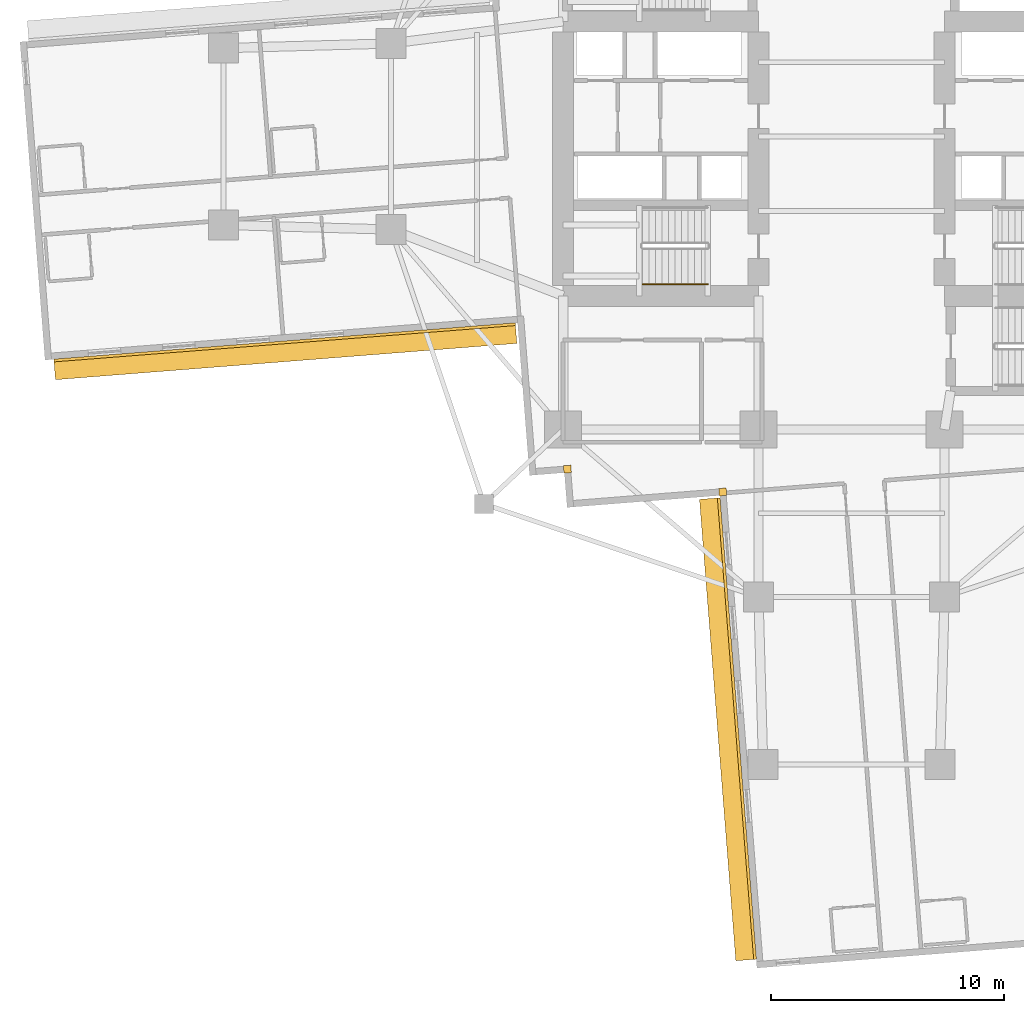
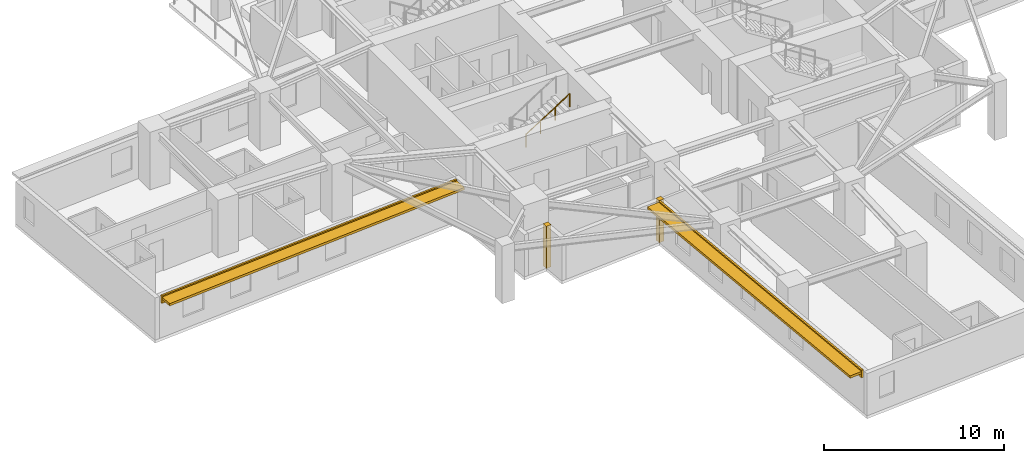
# One storey, part 9 of 13: 4 coverings, 2 shading devices, 1 railing.
"""IFC4 building model written with IfcOpenShell, lengths in metres."""

from ifc_helpers import new_model, si_unit, direction, frame, origin, origin_2d, place, context, subcontext, project, spatial, rectangle, circle, extrude, material, layer, layer_set, type_object, element, save


model = new_model("IFC4")

# Units and contexts
model_context = context("Model", 3, precision=1e-05, world=origin(), true_north=direction((0.0, 1.0)))
body_context = subcontext(model_context, "Body", "Model", "MODEL_VIEW")
ifc_project = project(units=[si_unit("LENGTHUNIT", "METRE"), si_unit("AREAUNIT", "SQUARE_METRE"), si_unit("VOLUMEUNIT", "CUBIC_METRE"), si_unit("PLANEANGLEUNIT", "RADIAN"), si_unit("MASSUNIT", "GRAM", prefix="KILO")], contexts=[model_context])

# Site, building, storey
site_placement = place(None, origin())
site = spatial("IfcSite", under=ifc_project, at=site_placement, CompositionType="ELEMENT")
building_placement = place(site_placement, origin())
building = spatial("IfcBuilding", under=site, at=building_placement, Name="Qingluan Cross Belvedere", CompositionType="ELEMENT")
storey_placement = place(building_placement, frame((0.0, 0.0, 43.199951171875)))
storey = spatial("IfcBuildingStorey", under=building, at=storey_placement, Name="L11", CompositionType="ELEMENT", Elevation=43.199951171875)

# Coverings
ifc_material_1 = material(Name="Precast concrete C45", Category="concrete")
ifc_layer_1 = layer(ifc_material_1, 0.1201171875, Name="ConcreteSpandrelCladding_120")
ifc_layer_set_1 = layer_set([ifc_layer_1], Name="Precast concrete C45")
covering_type = type_object("IfcCoveringType", Name="ConcreteSpandrelCladding_120", PredefinedType="CLADDING", material=ifc_layer_set_1)
for number, where, z_axis, x_axis, name in (
    (1, (-24.370849609375, -8.849365234375, 2.400146484375), (0.0, 0.0, 1.0), (0.996917430244, 0.078457869429, 0.0), "Spandrel cladding L11-WB"),
    (2, (-4.927978515625, -25.455078125, 2.400146484375), (0.0, 0.0, 1.0), (0.078457869429, -0.996917430244, 0.0), "Spandrel cladding L11-SA"),
):
    element("IfcCovering", number, at=place(storey_placement, frame(where, z_axis=z_axis, x_axis=x_axis)), inside=storey, type_object=covering_type, Name=name, PredefinedType="CLADDING", context=body_context, shape_type="SweptSolid", body=[
        extrude(rectangle(XDim=19.89990234375, YDim=0.1201171875, at=origin_2d()), origin(), (0.0, 0.0, 1.0), 0.52001953125),
    ])
for number, where, z_axis, x_axis, name in (
    (3, (-12.215576171875, -14.302490234375, 0.0), (0.0, 0.0, 1.0), (0.996917333733, 0.078459095728, 0.0), "Corner closure L11-SW1"),
    (4, (-5.5380859375, -15.281494140625, 0.0), (0.0, 0.0, 1.0), (0.996917333733, 0.078459095728, 0.0), "Corner closure L11-SW2"),
):
    element("IfcCovering", number, at=place(storey_placement, frame(where, z_axis=z_axis, x_axis=x_axis)), inside=storey, type_object=covering_type, Name=name, PredefinedType="CLADDING", context=body_context, shape_type="SweptSolid", body=[
        extrude(rectangle(XDim=0.320068359375, YDim=0.320068359375, at=origin_2d()), origin(), (0.0, 0.0, 1.0), 2.860107421875),
    ])

# Shading devices
ifc_material_2 = material(Name="Precast concrete C45", Category="concrete")
ifc_layer_2 = layer(ifc_material_2, 0.159912109375, Name="ConcreteSunshadeBand_900")
ifc_layer_set_2 = layer_set([ifc_layer_2], Name="Precast concrete C45")
shading_device_type = type_object("IfcShadingDeviceType", Name="ConcreteSunshadeBand_900", PredefinedType="USERDEFINED", material=ifc_layer_set_2)
for number, where, z_axis, x_axis, name in (
    (5, (-24.341064453125, -9.228271484375, 2.68017578125), (0.0, 0.0, 1.0), (0.996917430244, 0.078457869429, 0.0), "Concrete SUNSHADE L11-WB"),
    (6, (-5.306884765625, -25.48486328125, 2.68017578125), (0.0, 0.0, 1.0), (0.078457869429, -0.996917430244, 0.0), "Concrete SUNSHADE L11-SA"),
):
    element("IfcShadingDevice", number, at=place(storey_placement, frame(where, z_axis=z_axis, x_axis=x_axis)), inside=storey, type_object=shading_device_type, Name=name, ObjectType="SUNSHADE", PredefinedType="USERDEFINED", context=body_context, shape_type="SweptSolid", body=[
        extrude(rectangle(XDim=19.89990234375, YDim=0.89990234375, at=origin_2d()), origin(), (0.0, 0.0, 1.0), 0.159912109375),
    ])

# Railing
ifc_material_3 = material(Name="Brushed stainless steel tubular handrail", Category="steel")
railing_type = type_object("IfcRailingType", Name="StairPitchHandrail_900", PredefinedType="HANDRAIL", material=ifc_material_3)
railing_placement = place(storey_placement, frame((-8.97998046875, -6.35009765625, 2.12744140625)))
element("IfcRailing", 7, at=railing_placement, inside=storey, type_object=railing_type, Name="L11 ST1 stair handrail 2", PredefinedType="HANDRAIL", context=body_context, shape_type="SweptSolid", body=[
    extrude(circle(Radius=0.02392578125, at=origin_2d()), frame((0.0, 0.0, 0.8759765625), z_axis=(0.844908973607, 0.0, 0.534910110503), x_axis=(0.0, 1.0, 0.0)), (0.0, 0.0, 1.0), 3.31396484375),
    extrude(circle(Radius=0.02099609375, at=origin_2d()), origin(), (0.0, 0.0, 1.0), 0.851806640625),
    extrude(circle(Radius=0.02099609375, at=origin_2d()), frame((0.933349609375, 0.0, 0.5908203125)), (0.0, 0.0, 1.0), 0.851806640625),
    extrude(circle(Radius=0.02099609375, at=origin_2d()), frame((1.86669921875, 0.0, 1.181884765625)), (0.0, 0.0, 1.0), 0.851806640625),
    extrude(circle(Radius=0.02099609375, at=origin_2d()), frame((2.800048828125, 0.0, 1.772705078125)), (0.0, 0.0, 1.0), 0.851806640625),
])

save(model, "model.ifc")
